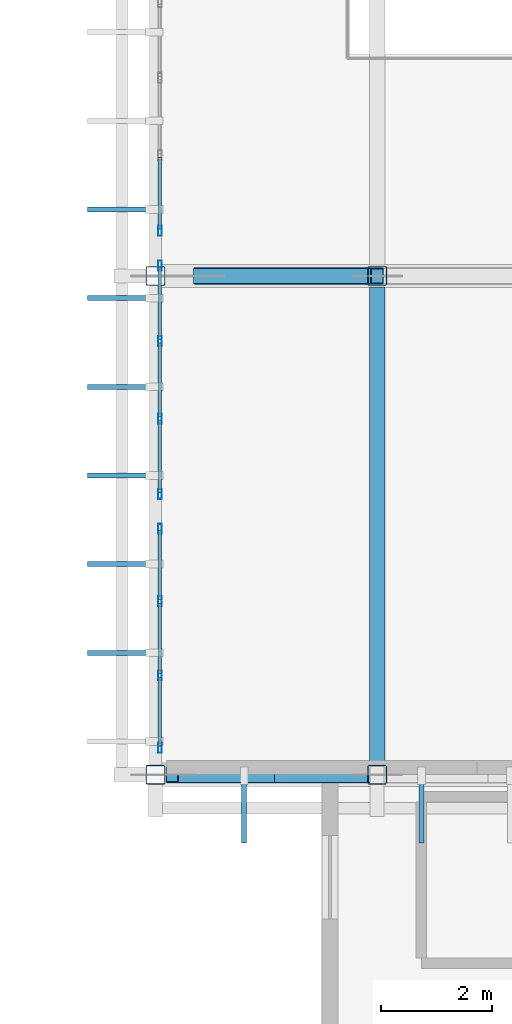
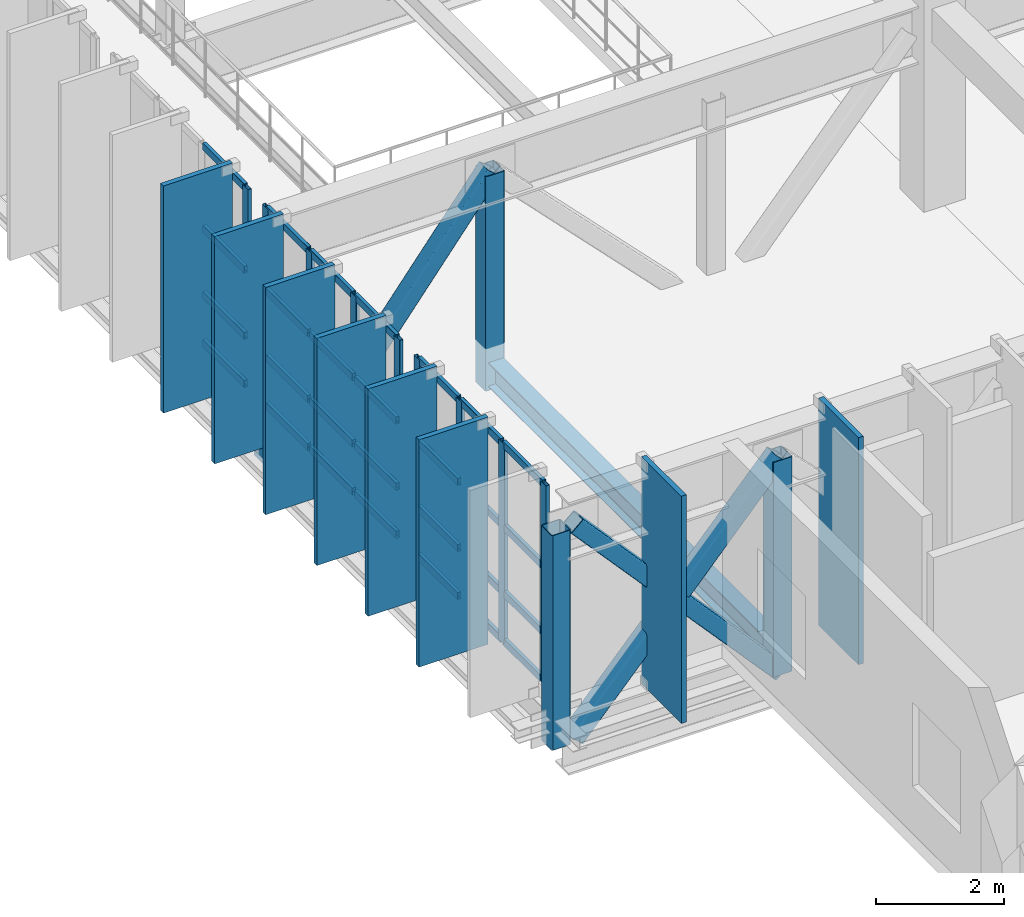
# One storey, part 33 of 130: 52 members, 1 beam, 3 elements without a shape of their own.
"""IFC4 building model written with IfcOpenShell, lengths in metres."""

from ifc_helpers import new_model, si_unit, direction, frame, origin, origin_2d, place, context, subcontext, project, spatial, rectangle, hollow_rectangle, i_section, extrude, material, material_profile, profile_set, type_object, element, aggregate, save


model = new_model("IFC4")

# Units and contexts
model_context = context("Model", 3, precision=1e-05, world=origin(), true_north=direction((0.0, 1.0)))
body_context = subcontext(model_context, "Body", "Model", "MODEL_VIEW")
ifc_project = project(units=[si_unit("LENGTHUNIT", "METRE"), si_unit("AREAUNIT", "SQUARE_METRE"), si_unit("VOLUMEUNIT", "CUBIC_METRE"), si_unit("PLANEANGLEUNIT", "RADIAN"), si_unit("MASSUNIT", "GRAM", prefix="KILO")], contexts=[model_context])

# Site, building, storey
site_placement = place(None, origin())
site = spatial("IfcSite", under=ifc_project, at=site_placement, CompositionType="ELEMENT")
building_placement = place(site_placement, origin())
building = spatial("IfcBuilding", under=site, at=building_placement, Name="Miravela Opera House", CompositionType="ELEMENT")
storey_placement = place(building_placement, frame((0.0, 0.0, 9.52001953125)))
storey = spatial("IfcBuildingStorey", under=building, at=storey_placement, Name="L02", CompositionType="ELEMENT", Elevation=9.52001953125)

# Curtain wall, members
ifc_material_1 = material(Name="Anodised architectural bronze aluminium 6063-T6", Category="aluminium")
curtain_wall_type = type_object("IfcCurtainWallType", Name="ARC-CW-02", PredefinedType="NOTDEFINED", material=ifc_material_1)
curtain_wall_1_placement = place(storey_placement, origin())
curtain_wall_1 = element("IfcCurtainWall", 1, at=curtain_wall_1_placement, inside=storey, type_object=curtain_wall_type, Name="Cantilever West Wrapper Glazing B1 CW-L02-007", PredefinedType="NOTDEFINED")
ifc_material_profile_1 = material_profile(ifc_material_1, hollow_rectangle(XDim=0.06494140625, YDim=0.179931640625, WallThickness=0.00390625, InnerFilletRadius=0.001953125, OuterFilletRadius=0.00390625, at=origin_2d()), Name="CWM-65X180")
ifc_profile_set_1 = profile_set([ifc_material_profile_1])
member_type_1 = type_object("IfcMemberType", Name="ARC-CWM-180", PredefinedType="MULLION", material=ifc_profile_set_1)
member_1_placement = place(storey_placement, frame((15.080078125, 37.482421875, 0.0), z_axis=(0.0, 0.0, 1.0), x_axis=(-1.0, 0.0, 0.0)))
member_1 = element("IfcMember", 2, at=member_1_placement, type_object=member_type_1, Name="CW-02 mullion 1", PredefinedType="MULLION", context=body_context, shape_type="SweptSolid", body=[
    extrude(hollow_rectangle(XDim=0.06494140625, YDim=0.179931640625, WallThickness=0.00390625, InnerFilletRadius=0.001953125, OuterFilletRadius=0.00390625, at=origin_2d()), origin(), (0.0, 0.0, 1.0), 3.820068359375),
])
member_2_placement = place(storey_placement, frame((15.080078125, 38.7900390625, 0.0), z_axis=(0.0, 0.0, 1.0), x_axis=(-1.0, 0.0, 0.0)))
member_2 = element("IfcMember", 3, at=member_2_placement, type_object=member_type_1, Name="CW-02 mullion 2", PredefinedType="MULLION", context=body_context, shape_type="SweptSolid", body=[
    extrude(hollow_rectangle(XDim=0.06494140625, YDim=0.179931640625, WallThickness=0.00390625, InnerFilletRadius=0.001953125, OuterFilletRadius=0.00390625, at=origin_2d()), origin(), (0.0, 0.0, 1.0), 3.820068359375),
])
member_3_placement = place(storey_placement, frame((15.080078125, 40.1298828125, 0.0), z_axis=(0.0, 0.0, 1.0), x_axis=(-1.0, 0.0, 0.0)))
member_3 = element("IfcMember", 4, at=member_3_placement, type_object=member_type_1, Name="CW-02 mullion 3", PredefinedType="MULLION", context=body_context, shape_type="SweptSolid", body=[
    extrude(hollow_rectangle(XDim=0.06494140625, YDim=0.179931640625, WallThickness=0.00390625, InnerFilletRadius=0.001953125, OuterFilletRadius=0.00390625, at=origin_2d()), origin(), (0.0, 0.0, 1.0), 3.820068359375),
])
member_4_placement = place(storey_placement, frame((15.080078125, 41.4375, 0.0), z_axis=(0.0, 0.0, 1.0), x_axis=(-1.0, 0.0, 0.0)))
member_4 = element("IfcMember", 5, at=member_4_placement, type_object=member_type_1, Name="CW-02 mullion 4", PredefinedType="MULLION", context=body_context, shape_type="SweptSolid", body=[
    extrude(hollow_rectangle(XDim=0.06494140625, YDim=0.179931640625, WallThickness=0.00390625, InnerFilletRadius=0.001953125, OuterFilletRadius=0.00390625, at=origin_2d()), origin(), (0.0, 0.0, 1.0), 3.820068359375),
])

curtain_wall_2_placement = place(storey_placement, origin())
curtain_wall_2 = element("IfcCurtainWall", 6, at=curtain_wall_2_placement, inside=storey, type_object=curtain_wall_type, Name="Cantilever West Wrapper Glazing B2 CW-L02-008", PredefinedType="NOTDEFINED")
member_5_placement = place(storey_placement, frame((15.080078125, 42.0625, 0.0), z_axis=(0.0, 0.0, 1.0), x_axis=(-1.0, 0.0, 0.0)))
member_5 = element("IfcMember", 7, at=member_5_placement, type_object=member_type_1, Name="CW-02 mullion 1", PredefinedType="MULLION", context=body_context, shape_type="SweptSolid", body=[
    extrude(hollow_rectangle(XDim=0.06494140625, YDim=0.179931640625, WallThickness=0.00390625, InnerFilletRadius=0.001953125, OuterFilletRadius=0.00390625, at=origin_2d()), origin(), (0.0, 0.0, 1.0), 3.820068359375),
])
member_6_placement = place(storey_placement, frame((15.080078125, 43.4267578125, 0.0), z_axis=(0.0, 0.0, 1.0), x_axis=(-1.0, 0.0, 0.0)))
member_6 = element("IfcMember", 8, at=member_6_placement, type_object=member_type_1, Name="CW-02 mullion 2", PredefinedType="MULLION", context=body_context, shape_type="SweptSolid", body=[
    extrude(hollow_rectangle(XDim=0.06494140625, YDim=0.179931640625, WallThickness=0.00390625, InnerFilletRadius=0.001953125, OuterFilletRadius=0.00390625, at=origin_2d()), origin(), (0.0, 0.0, 1.0), 3.820068359375),
])
member_7_placement = place(storey_placement, frame((15.080078125, 44.8232421875, 0.0), z_axis=(0.0, 0.0, 1.0), x_axis=(-1.0, 0.0, 0.0)))
member_7 = element("IfcMember", 9, at=member_7_placement, type_object=member_type_1, Name="CW-02 mullion 3", PredefinedType="MULLION", context=body_context, shape_type="SweptSolid", body=[
    extrude(hollow_rectangle(XDim=0.06494140625, YDim=0.179931640625, WallThickness=0.00390625, InnerFilletRadius=0.001953125, OuterFilletRadius=0.00390625, at=origin_2d()), origin(), (0.0, 0.0, 1.0), 3.820068359375),
])
member_8_placement = place(storey_placement, frame((15.080078125, 46.1875, 0.0), z_axis=(0.0, 0.0, 1.0), x_axis=(-1.0, 0.0, 0.0)))
member_8 = element("IfcMember", 10, at=member_8_placement, type_object=member_type_1, Name="CW-02 mullion 4", PredefinedType="MULLION", context=body_context, shape_type="SweptSolid", body=[
    extrude(hollow_rectangle(XDim=0.06494140625, YDim=0.179931640625, WallThickness=0.00390625, InnerFilletRadius=0.001953125, OuterFilletRadius=0.00390625, at=origin_2d()), origin(), (0.0, 0.0, 1.0), 3.820068359375),
])

# Curtain wall, member
curtain_wall_3_placement = place(storey_placement, origin())
curtain_wall_3 = element("IfcCurtainWall", 11, at=curtain_wall_3_placement, inside=storey, type_object=curtain_wall_type, Name="Cantilever West Wrapper Glazing B3 CW-L02-009", PredefinedType="NOTDEFINED")
member_9_placement = place(storey_placement, frame((15.080078125, 46.8125, 0.0), z_axis=(0.0, 0.0, 1.0), x_axis=(-1.0, 0.0, 0.0)))
member_9 = element("IfcMember", 12, at=member_9_placement, type_object=member_type_1, Name="CW-02 mullion 1", PredefinedType="MULLION", context=body_context, shape_type="SweptSolid", body=[
    extrude(hollow_rectangle(XDim=0.06494140625, YDim=0.179931640625, WallThickness=0.00390625, InnerFilletRadius=0.001953125, OuterFilletRadius=0.00390625, at=origin_2d()), origin(), (0.0, 0.0, 1.0), 3.820068359375),
])

# Member
ifc_material_profile_2 = material_profile(ifc_material_1, hollow_rectangle(XDim=0.06494140625, YDim=0.139892578125, WallThickness=0.00390625, InnerFilletRadius=0.001953125, OuterFilletRadius=0.00390625, at=origin_2d()), Name="CWT-65X140")
ifc_profile_set_2 = profile_set([ifc_material_profile_2])
member_type_2 = type_object("IfcMemberType", Name="ARC-CWT-140", PredefinedType="USERDEFINED", material=ifc_profile_set_2)
member_10_placement = place(storey_placement, frame((15.080078125, 37.514892578125, 0.032470703125), z_axis=(0.0, 1.0, 0.0), x_axis=(-1.0, 0.0, 0.0)))
member_10 = element("IfcMember", 13, at=member_10_placement, type_object=member_type_2, Name="CW-02 transom 1.1", ObjectType="TRANSOM", PredefinedType="USERDEFINED", context=body_context, shape_type="SweptSolid", body=[
    extrude(hollow_rectangle(XDim=0.06494140625, YDim=0.139892578125, WallThickness=0.00390625, InnerFilletRadius=0.001953125, OuterFilletRadius=0.00390625, at=origin_2d()), origin(), (0.0, 0.0, 1.0), 1.24267578125),
])

member_11_placement = place(storey_placement, frame((15.080078125, 37.514892578125, 0.949951171875), z_axis=(0.0, 1.0, 0.0), x_axis=(-1.0, 0.0, 0.0)))
member_11 = element("IfcMember", 14, at=member_11_placement, type_object=member_type_2, Name="CW-02 transom 1.2", ObjectType="TRANSOM", PredefinedType="USERDEFINED", context=body_context, shape_type="SweptSolid", body=[
    extrude(hollow_rectangle(XDim=0.06494140625, YDim=0.139892578125, WallThickness=0.00390625, InnerFilletRadius=0.001953125, OuterFilletRadius=0.00390625, at=origin_2d()), origin(), (0.0, 0.0, 1.0), 1.24267578125),
])

member_12_placement = place(storey_placement, frame((15.080078125, 37.514892578125, 2.215576171875), z_axis=(0.0, 1.0, 0.0), x_axis=(-1.0, 0.0, 0.0)))
member_12 = element("IfcMember", 15, at=member_12_placement, type_object=member_type_2, Name="CW-02 transom 1.3", ObjectType="TRANSOM", PredefinedType="USERDEFINED", context=body_context, shape_type="SweptSolid", body=[
    extrude(hollow_rectangle(XDim=0.06494140625, YDim=0.139892578125, WallThickness=0.00390625, InnerFilletRadius=0.001953125, OuterFilletRadius=0.00390625, at=origin_2d()), origin(), (0.0, 0.0, 1.0), 1.24267578125),
])

member_13_placement = place(storey_placement, frame((15.080078125, 37.514892578125, 3.78759765625), z_axis=(0.0, 1.0, 0.0), x_axis=(-1.0, 0.0, 0.0)))
member_13 = element("IfcMember", 16, at=member_13_placement, type_object=member_type_2, Name="CW-02 transom 1.4", ObjectType="TRANSOM", PredefinedType="USERDEFINED", context=body_context, shape_type="SweptSolid", body=[
    extrude(hollow_rectangle(XDim=0.06494140625, YDim=0.139892578125, WallThickness=0.00390625, InnerFilletRadius=0.001953125, OuterFilletRadius=0.00390625, at=origin_2d()), origin(), (0.0, 0.0, 1.0), 1.24267578125),
])

member_14_placement = place(storey_placement, frame((15.080078125, 38.822509765625, 0.032470703125), z_axis=(0.0, 1.0, 0.0), x_axis=(-1.0, 0.0, 0.0)))
member_14 = element("IfcMember", 17, at=member_14_placement, type_object=member_type_2, Name="CW-02 transom 2.1", ObjectType="TRANSOM", PredefinedType="USERDEFINED", context=body_context, shape_type="SweptSolid", body=[
    extrude(hollow_rectangle(XDim=0.06494140625, YDim=0.139892578125, WallThickness=0.00390625, InnerFilletRadius=0.001953125, OuterFilletRadius=0.00390625, at=origin_2d()), origin(), (0.0, 0.0, 1.0), 1.27490234375),
])

member_15_placement = place(storey_placement, frame((15.080078125, 38.822509765625, 0.949951171875), z_axis=(0.0, 1.0, 0.0), x_axis=(-1.0, 0.0, 0.0)))
member_15 = element("IfcMember", 18, at=member_15_placement, type_object=member_type_2, Name="CW-02 transom 2.2", ObjectType="TRANSOM", PredefinedType="USERDEFINED", context=body_context, shape_type="SweptSolid", body=[
    extrude(hollow_rectangle(XDim=0.06494140625, YDim=0.139892578125, WallThickness=0.00390625, InnerFilletRadius=0.001953125, OuterFilletRadius=0.00390625, at=origin_2d()), origin(), (0.0, 0.0, 1.0), 1.27490234375),
])

member_16_placement = place(storey_placement, frame((15.080078125, 38.822509765625, 2.215576171875), z_axis=(0.0, 1.0, 0.0), x_axis=(-1.0, 0.0, 0.0)))
member_16 = element("IfcMember", 19, at=member_16_placement, type_object=member_type_2, Name="CW-02 transom 2.3", ObjectType="TRANSOM", PredefinedType="USERDEFINED", context=body_context, shape_type="SweptSolid", body=[
    extrude(hollow_rectangle(XDim=0.06494140625, YDim=0.139892578125, WallThickness=0.00390625, InnerFilletRadius=0.001953125, OuterFilletRadius=0.00390625, at=origin_2d()), origin(), (0.0, 0.0, 1.0), 1.27490234375),
])

member_17_placement = place(storey_placement, frame((15.080078125, 38.822509765625, 3.78759765625), z_axis=(0.0, 1.0, 0.0), x_axis=(-1.0, 0.0, 0.0)))
member_17 = element("IfcMember", 20, at=member_17_placement, type_object=member_type_2, Name="CW-02 transom 2.4", ObjectType="TRANSOM", PredefinedType="USERDEFINED", context=body_context, shape_type="SweptSolid", body=[
    extrude(hollow_rectangle(XDim=0.06494140625, YDim=0.139892578125, WallThickness=0.00390625, InnerFilletRadius=0.001953125, OuterFilletRadius=0.00390625, at=origin_2d()), origin(), (0.0, 0.0, 1.0), 1.27490234375),
])

member_18_placement = place(storey_placement, frame((15.080078125, 40.16259765625, 0.032470703125), z_axis=(0.0, 1.0, 0.0), x_axis=(-1.0, 0.0, 0.0)))
member_18 = element("IfcMember", 21, at=member_18_placement, type_object=member_type_2, Name="CW-02 transom 3.1", ObjectType="TRANSOM", PredefinedType="USERDEFINED", context=body_context, shape_type="SweptSolid", body=[
    extrude(hollow_rectangle(XDim=0.06494140625, YDim=0.139892578125, WallThickness=0.00390625, InnerFilletRadius=0.001953125, OuterFilletRadius=0.00390625, at=origin_2d()), origin(), (0.0, 0.0, 1.0), 1.242431640625),
])

member_19_placement = place(storey_placement, frame((15.080078125, 40.16259765625, 0.949951171875), z_axis=(0.0, 1.0, 0.0), x_axis=(-1.0, 0.0, 0.0)))
member_19 = element("IfcMember", 22, at=member_19_placement, type_object=member_type_2, Name="CW-02 transom 3.2", ObjectType="TRANSOM", PredefinedType="USERDEFINED", context=body_context, shape_type="SweptSolid", body=[
    extrude(hollow_rectangle(XDim=0.06494140625, YDim=0.139892578125, WallThickness=0.00390625, InnerFilletRadius=0.001953125, OuterFilletRadius=0.00390625, at=origin_2d()), origin(), (0.0, 0.0, 1.0), 1.242431640625),
])

member_20_placement = place(storey_placement, frame((15.080078125, 40.16259765625, 2.215576171875), z_axis=(0.0, 1.0, 0.0), x_axis=(-1.0, 0.0, 0.0)))
member_20 = element("IfcMember", 23, at=member_20_placement, type_object=member_type_2, Name="CW-02 transom 3.3", ObjectType="TRANSOM", PredefinedType="USERDEFINED", context=body_context, shape_type="SweptSolid", body=[
    extrude(hollow_rectangle(XDim=0.06494140625, YDim=0.139892578125, WallThickness=0.00390625, InnerFilletRadius=0.001953125, OuterFilletRadius=0.00390625, at=origin_2d()), origin(), (0.0, 0.0, 1.0), 1.242431640625),
])

member_21_placement = place(storey_placement, frame((15.080078125, 40.16259765625, 3.78759765625), z_axis=(0.0, 1.0, 0.0), x_axis=(-1.0, 0.0, 0.0)))
member_21 = element("IfcMember", 24, at=member_21_placement, type_object=member_type_2, Name="CW-02 transom 3.4", ObjectType="TRANSOM", PredefinedType="USERDEFINED", context=body_context, shape_type="SweptSolid", body=[
    extrude(hollow_rectangle(XDim=0.06494140625, YDim=0.139892578125, WallThickness=0.00390625, InnerFilletRadius=0.001953125, OuterFilletRadius=0.00390625, at=origin_2d()), origin(), (0.0, 0.0, 1.0), 1.242431640625),
])

aggregate(curtain_wall_1, [member_1, member_2, member_3, member_4, member_10, member_11, member_12, member_13, member_14, member_15, member_16, member_17, member_18, member_19, member_20, member_21])

member_22_placement = place(storey_placement, frame((15.080078125, 42.094970703125, 0.032470703125), z_axis=(0.0, 1.0, 0.0), x_axis=(-1.0, 0.0, 0.0)))
member_22 = element("IfcMember", 25, at=member_22_placement, type_object=member_type_2, Name="CW-02 transom 1.1", ObjectType="TRANSOM", PredefinedType="USERDEFINED", context=body_context, shape_type="SweptSolid", body=[
    extrude(hollow_rectangle(XDim=0.06494140625, YDim=0.139892578125, WallThickness=0.00390625, InnerFilletRadius=0.001953125, OuterFilletRadius=0.00390625, at=origin_2d()), origin(), (0.0, 0.0, 1.0), 1.29931640625),
])

member_23_placement = place(storey_placement, frame((15.080078125, 42.094970703125, 0.949951171875), z_axis=(0.0, 1.0, 0.0), x_axis=(-1.0, 0.0, 0.0)))
member_23 = element("IfcMember", 26, at=member_23_placement, type_object=member_type_2, Name="CW-02 transom 1.2", ObjectType="TRANSOM", PredefinedType="USERDEFINED", context=body_context, shape_type="SweptSolid", body=[
    extrude(hollow_rectangle(XDim=0.06494140625, YDim=0.139892578125, WallThickness=0.00390625, InnerFilletRadius=0.001953125, OuterFilletRadius=0.00390625, at=origin_2d()), origin(), (0.0, 0.0, 1.0), 1.29931640625),
])

member_24_placement = place(storey_placement, frame((15.080078125, 42.094970703125, 2.215576171875), z_axis=(0.0, 1.0, 0.0), x_axis=(-1.0, 0.0, 0.0)))
member_24 = element("IfcMember", 27, at=member_24_placement, type_object=member_type_2, Name="CW-02 transom 1.3", ObjectType="TRANSOM", PredefinedType="USERDEFINED", context=body_context, shape_type="SweptSolid", body=[
    extrude(hollow_rectangle(XDim=0.06494140625, YDim=0.139892578125, WallThickness=0.00390625, InnerFilletRadius=0.001953125, OuterFilletRadius=0.00390625, at=origin_2d()), origin(), (0.0, 0.0, 1.0), 1.29931640625),
])

member_25_placement = place(storey_placement, frame((15.080078125, 42.094970703125, 3.78759765625), z_axis=(0.0, 1.0, 0.0), x_axis=(-1.0, 0.0, 0.0)))
member_25 = element("IfcMember", 28, at=member_25_placement, type_object=member_type_2, Name="CW-02 transom 1.4", ObjectType="TRANSOM", PredefinedType="USERDEFINED", context=body_context, shape_type="SweptSolid", body=[
    extrude(hollow_rectangle(XDim=0.06494140625, YDim=0.139892578125, WallThickness=0.00390625, InnerFilletRadius=0.001953125, OuterFilletRadius=0.00390625, at=origin_2d()), origin(), (0.0, 0.0, 1.0), 1.29931640625),
])

member_26_placement = place(storey_placement, frame((15.080078125, 43.459228515625, 0.032470703125), z_axis=(0.0, 1.0, 0.0), x_axis=(-1.0, 0.0, 0.0)))
member_26 = element("IfcMember", 29, at=member_26_placement, type_object=member_type_2, Name="CW-02 transom 2.1", ObjectType="TRANSOM", PredefinedType="USERDEFINED", context=body_context, shape_type="SweptSolid", body=[
    extrude(hollow_rectangle(XDim=0.06494140625, YDim=0.139892578125, WallThickness=0.00390625, InnerFilletRadius=0.001953125, OuterFilletRadius=0.00390625, at=origin_2d()), origin(), (0.0, 0.0, 1.0), 1.33154296875),
])

member_27_placement = place(storey_placement, frame((15.080078125, 43.459228515625, 0.949951171875), z_axis=(0.0, 1.0, 0.0), x_axis=(-1.0, 0.0, 0.0)))
member_27 = element("IfcMember", 30, at=member_27_placement, type_object=member_type_2, Name="CW-02 transom 2.2", ObjectType="TRANSOM", PredefinedType="USERDEFINED", context=body_context, shape_type="SweptSolid", body=[
    extrude(hollow_rectangle(XDim=0.06494140625, YDim=0.139892578125, WallThickness=0.00390625, InnerFilletRadius=0.001953125, OuterFilletRadius=0.00390625, at=origin_2d()), origin(), (0.0, 0.0, 1.0), 1.33154296875),
])

member_28_placement = place(storey_placement, frame((15.080078125, 43.459228515625, 2.215576171875), z_axis=(0.0, 1.0, 0.0), x_axis=(-1.0, 0.0, 0.0)))
member_28 = element("IfcMember", 31, at=member_28_placement, type_object=member_type_2, Name="CW-02 transom 2.3", ObjectType="TRANSOM", PredefinedType="USERDEFINED", context=body_context, shape_type="SweptSolid", body=[
    extrude(hollow_rectangle(XDim=0.06494140625, YDim=0.139892578125, WallThickness=0.00390625, InnerFilletRadius=0.001953125, OuterFilletRadius=0.00390625, at=origin_2d()), origin(), (0.0, 0.0, 1.0), 1.33154296875),
])

member_29_placement = place(storey_placement, frame((15.080078125, 43.459228515625, 3.78759765625), z_axis=(0.0, 1.0, 0.0), x_axis=(-1.0, 0.0, 0.0)))
member_29 = element("IfcMember", 32, at=member_29_placement, type_object=member_type_2, Name="CW-02 transom 2.4", ObjectType="TRANSOM", PredefinedType="USERDEFINED", context=body_context, shape_type="SweptSolid", body=[
    extrude(hollow_rectangle(XDim=0.06494140625, YDim=0.139892578125, WallThickness=0.00390625, InnerFilletRadius=0.001953125, OuterFilletRadius=0.00390625, at=origin_2d()), origin(), (0.0, 0.0, 1.0), 1.33154296875),
])

member_30_placement = place(storey_placement, frame((15.080078125, 44.855712890625, 0.032470703125), z_axis=(0.0, 1.0, 0.0), x_axis=(-1.0, 0.0, 0.0)))
member_30 = element("IfcMember", 33, at=member_30_placement, type_object=member_type_2, Name="CW-02 transom 3.1", ObjectType="TRANSOM", PredefinedType="USERDEFINED", context=body_context, shape_type="SweptSolid", body=[
    extrude(hollow_rectangle(XDim=0.06494140625, YDim=0.139892578125, WallThickness=0.00390625, InnerFilletRadius=0.001953125, OuterFilletRadius=0.00390625, at=origin_2d()), origin(), (0.0, 0.0, 1.0), 1.29931640625),
])

member_31_placement = place(storey_placement, frame((15.080078125, 44.855712890625, 0.949951171875), z_axis=(0.0, 1.0, 0.0), x_axis=(-1.0, 0.0, 0.0)))
member_31 = element("IfcMember", 34, at=member_31_placement, type_object=member_type_2, Name="CW-02 transom 3.2", ObjectType="TRANSOM", PredefinedType="USERDEFINED", context=body_context, shape_type="SweptSolid", body=[
    extrude(hollow_rectangle(XDim=0.06494140625, YDim=0.139892578125, WallThickness=0.00390625, InnerFilletRadius=0.001953125, OuterFilletRadius=0.00390625, at=origin_2d()), origin(), (0.0, 0.0, 1.0), 1.29931640625),
])

member_32_placement = place(storey_placement, frame((15.080078125, 44.855712890625, 2.215576171875), z_axis=(0.0, 1.0, 0.0), x_axis=(-1.0, 0.0, 0.0)))
member_32 = element("IfcMember", 35, at=member_32_placement, type_object=member_type_2, Name="CW-02 transom 3.3", ObjectType="TRANSOM", PredefinedType="USERDEFINED", context=body_context, shape_type="SweptSolid", body=[
    extrude(hollow_rectangle(XDim=0.06494140625, YDim=0.139892578125, WallThickness=0.00390625, InnerFilletRadius=0.001953125, OuterFilletRadius=0.00390625, at=origin_2d()), origin(), (0.0, 0.0, 1.0), 1.29931640625),
])

member_33_placement = place(storey_placement, frame((15.080078125, 44.855712890625, 3.78759765625), z_axis=(0.0, 1.0, 0.0), x_axis=(-1.0, 0.0, 0.0)))
member_33 = element("IfcMember", 36, at=member_33_placement, type_object=member_type_2, Name="CW-02 transom 3.4", ObjectType="TRANSOM", PredefinedType="USERDEFINED", context=body_context, shape_type="SweptSolid", body=[
    extrude(hollow_rectangle(XDim=0.06494140625, YDim=0.139892578125, WallThickness=0.00390625, InnerFilletRadius=0.001953125, OuterFilletRadius=0.00390625, at=origin_2d()), origin(), (0.0, 0.0, 1.0), 1.29931640625),
])

aggregate(curtain_wall_2, [member_5, member_6, member_7, member_8, member_22, member_23, member_24, member_25, member_26, member_27, member_28, member_29, member_30, member_31, member_32, member_33])

member_34_placement = place(storey_placement, frame((15.080078125, 46.844970703125, 0.032470703125), z_axis=(0.0, 1.0, 0.0), x_axis=(-1.0, 0.0, 0.0)))
member_34 = element("IfcMember", 37, at=member_34_placement, type_object=member_type_2, Name="CW-02 transom 1.1", ObjectType="TRANSOM", PredefinedType="USERDEFINED", context=body_context, shape_type="SweptSolid", body=[
    extrude(hollow_rectangle(XDim=0.06494140625, YDim=0.139892578125, WallThickness=0.00390625, InnerFilletRadius=0.001953125, OuterFilletRadius=0.00390625, at=origin_2d()), origin(), (0.0, 0.0, 1.0), 1.29931640625),
])

member_35_placement = place(storey_placement, frame((15.080078125, 46.844970703125, 0.949951171875), z_axis=(0.0, 1.0, 0.0), x_axis=(-1.0, 0.0, 0.0)))
member_35 = element("IfcMember", 38, at=member_35_placement, type_object=member_type_2, Name="CW-02 transom 1.2", ObjectType="TRANSOM", PredefinedType="USERDEFINED", context=body_context, shape_type="SweptSolid", body=[
    extrude(hollow_rectangle(XDim=0.06494140625, YDim=0.139892578125, WallThickness=0.00390625, InnerFilletRadius=0.001953125, OuterFilletRadius=0.00390625, at=origin_2d()), origin(), (0.0, 0.0, 1.0), 1.29931640625),
])

member_36_placement = place(storey_placement, frame((15.080078125, 46.844970703125, 2.215576171875), z_axis=(0.0, 1.0, 0.0), x_axis=(-1.0, 0.0, 0.0)))
member_36 = element("IfcMember", 39, at=member_36_placement, type_object=member_type_2, Name="CW-02 transom 1.3", ObjectType="TRANSOM", PredefinedType="USERDEFINED", context=body_context, shape_type="SweptSolid", body=[
    extrude(hollow_rectangle(XDim=0.06494140625, YDim=0.139892578125, WallThickness=0.00390625, InnerFilletRadius=0.001953125, OuterFilletRadius=0.00390625, at=origin_2d()), origin(), (0.0, 0.0, 1.0), 1.29931640625),
])

member_37_placement = place(storey_placement, frame((15.080078125, 46.844970703125, 3.78759765625), z_axis=(0.0, 1.0, 0.0), x_axis=(-1.0, 0.0, 0.0)))
member_37 = element("IfcMember", 40, at=member_37_placement, type_object=member_type_2, Name="CW-02 transom 1.4", ObjectType="TRANSOM", PredefinedType="USERDEFINED", context=body_context, shape_type="SweptSolid", body=[
    extrude(hollow_rectangle(XDim=0.06494140625, YDim=0.139892578125, WallThickness=0.00390625, InnerFilletRadius=0.001953125, OuterFilletRadius=0.00390625, at=origin_2d()), origin(), (0.0, 0.0, 1.0), 1.29931640625),
])

aggregate(curtain_wall_3, [member_9, member_34, member_35, member_36, member_37])

# Members
ifc_material_profile_3 = material_profile(ifc_material_1, rectangle(XDim=0.090087890625, YDim=1.25, at=origin_2d()), Name="FIN-1250X90")
ifc_profile_set_3 = profile_set([ifc_material_profile_3])
member_type_3 = type_object("IfcMemberType", Name="ARC-FIN-1250", PredefinedType="USERDEFINED", material=ifc_profile_set_3)
for number, where, z_axis, x_axis, name in (
    (41, (14.39501953125, 39.199951171875, -0.260009765625), (0.0, 0.0, 1.0), (0.0, 1.0, 0.0), "Auditorium Wrapper Bronze Solar Fin FIN-L02-WEST-0002"),
    (42, (14.39501953125, 40.800048828125, -0.260009765625), (0.0, 0.0, 1.0), (0.0, 1.0, 0.0), "Auditorium Wrapper Bronze Solar Fin FIN-L02-WEST-0003"),
    (43, (14.39501953125, 42.39990234375, -0.260009765625), (0.0, 0.0, 1.0), (0.0, 1.0, 0.0), "Auditorium Wrapper Bronze Solar Fin FIN-L02-WEST-0004"),
    (44, (14.39501953125, 44.0, -0.260009765625), (0.0, 0.0, 1.0), (0.0, 1.0, 0.0), "Auditorium Wrapper Bronze Solar Fin FIN-L02-WEST-0005"),
    (45, (14.39501953125, 45.60009765625, -0.260009765625), (0.0, 0.0, 1.0), (0.0, 1.0, 0.0), "Auditorium Wrapper Bronze Solar Fin FIN-L02-WEST-0006"),
    (46, (14.39501953125, 47.199951171875, -0.260009765625), (0.0, 0.0, 1.0), (0.0, 1.0, 0.0), "Auditorium Wrapper Bronze Solar Fin FIN-L02-WEST-0007"),
    (47, (16.60009765625, 36.39501953125, -0.260009765625), (0.0, 0.0, 1.0), (1.0, 0.0, 0.0), "Auditorium Wrapper Bronze Solar Fin FIN-L02-SOUTH-0026"),
    (48, (19.800048828125, 36.39501953125, -0.260009765625), (0.0, 0.0, 1.0), (1.0, 0.0, 0.0), "Auditorium Wrapper Bronze Solar Fin FIN-L02-SOUTH-0028"),
):
    element("IfcMember", number, at=place(storey_placement, frame(where, z_axis=z_axis, x_axis=x_axis)), inside=storey, type_object=member_type_3, Name=name, ObjectType="FIN", PredefinedType="USERDEFINED", context=body_context, shape_type="SweptSolid", body=[
        extrude(rectangle(XDim=0.090087890625, YDim=1.25, at=origin_2d()), origin(), (0.0, 0.0, 1.0), 4.340087890625),
    ])

# Beam
ifc_material_2 = material(Name="Structural steel ASTM A992 Gr. 50", Category="steel")
ifc_material_profile_4 = material_profile(ifc_material_2, i_section(OverallWidth=0.280029296875, OverallDepth=0.462890625, WebThickness=0.0107421875, FlangeThickness=0.017333984375, FilletRadius=0.014892578125, at=origin_2d()), Name="W460X113")
ifc_profile_set_4 = profile_set([ifc_material_profile_4])
beam_type = type_object("IfcBeamType", Name="STR-BM-W460X113", PredefinedType="BEAM", material=ifc_profile_set_4)
beam_placement = place(storey_placement, frame((19.0, 37.195068359375, -0.491455078125), z_axis=(0.0, 1.0, 0.0), x_axis=(-1.0, 0.0, 0.0)))
element("IfcBeam", 49, at=beam_placement, inside=storey, type_object=beam_type, Name="Cantilever Overhang Beam L02 X=19", PredefinedType="BEAM", context=body_context, shape_type="SweptSolid", body=[
    extrude(i_section(OverallWidth=0.280029296875, OverallDepth=0.462890625, WebThickness=0.0107421875, FlangeThickness=0.017333984375, FilletRadius=0.014892578125, at=origin_2d()), origin(), (0.0, 0.0, 1.0), 8.60986328125),
])

# Members
ifc_material_3 = material(Name="Hollow structural steel ASTM A500 Gr. C", Category="steel")
ifc_material_profile_5 = material_profile(ifc_material_3, hollow_rectangle(XDim=0.300048828125, YDim=0.300048828125, WallThickness=0.01611328125, InnerFilletRadius=0.01611328125, OuterFilletRadius=0.031982421875, at=origin_2d()), Name="HSS300X300X16")
ifc_profile_set_5 = profile_set([ifc_material_profile_5])
member_type_4 = type_object("IfcMemberType", Name="STR-MEM-CANT-DIAG", PredefinedType="BRACE", material=ifc_profile_set_5)
for number, where, z_axis, x_axis, name in (
    (50, (15.300048828125, 37.0, -0.81298828125), (0.669972840481, 0.0, 0.742385609383), (0.0, 1.0, 0.0), "Cantilever Truss CT-01 Perimeter Web Diagonal 1A"),
    (51, (15.300048828125, 37.0, 3.286865234375), (0.669972840481, 0.0, -0.742385609383), (0.0, 1.0, 0.0), "Cantilever Truss CT-01 Perimeter Web Diagonal 1B"),
):
    element("IfcMember", number, at=place(storey_placement, frame(where, z_axis=z_axis, x_axis=x_axis)), inside=storey, type_object=member_type_4, Name=name, PredefinedType="BRACE", context=body_context, shape_type="SweptSolid", body=[
        extrude(hollow_rectangle(XDim=0.300048828125, YDim=0.300048828125, WallThickness=0.01611328125, InnerFilletRadius=0.01611328125, OuterFilletRadius=0.031982421875, at=origin_2d()), origin(), (0.0, 0.0, 1.0), 5.5224609375),
    ])
member_38_placement = place(storey_placement, frame((15.800048828125, 46.0, -0.81298828125), z_axis=(0.615278682057, 0.0, 0.788309674814), x_axis=(0.0, 1.0, 0.0)))
element("IfcMember", 52, at=member_38_placement, inside=storey, type_object=member_type_4, Name="Cantilever Truss CT-02 Overhang Web Diagonal 1", PredefinedType="BRACE", context=body_context, shape_type="SweptSolid", body=[
    extrude(hollow_rectangle(XDim=0.300048828125, YDim=0.300048828125, WallThickness=0.01611328125, InnerFilletRadius=0.01611328125, OuterFilletRadius=0.031982421875, at=origin_2d()), origin(), (0.0, 0.0, 1.0), 5.200927734375),
])
ifc_material_profile_6 = material_profile(ifc_material_3, hollow_rectangle(XDim=0.35009765625, YDim=0.35009765625, WallThickness=0.01611328125, InnerFilletRadius=0.01611328125, OuterFilletRadius=0.031982421875, at=origin_2d()), Name="HSS350X350X16")
ifc_profile_set_6 = profile_set([ifc_material_profile_6])
member_type_5 = type_object("IfcMemberType", Name="STR-MEM-CANT-POST", PredefinedType="POST", material=ifc_profile_set_6)
for number, where, z_axis, x_axis, name in (
    (53, (15.0, 37.0, -0.81298828125), (0.0, 0.0, 1.0), (1.0, 0.0, 0.0), "Cantilever Truss CT-01 Post X=15.0"),
    (54, (19.0, 37.0, -0.81298828125), (0.0, 0.0, 1.0), (1.0, 0.0, 0.0), "Cantilever Truss CT-01 Post X=19.0"),
    (55, (15.0, 46.0, -0.81298828125), (0.0, 0.0, 1.0), (1.0, 0.0, 0.0), "Cantilever Truss CT-02 Post X=15.0"),
    (56, (19.0, 46.0, -0.81298828125), (0.0, 0.0, 1.0), (1.0, 0.0, 0.0), "Cantilever Truss CT-02 Post X=19.0"),
):
    element("IfcMember", number, at=place(storey_placement, frame(where, z_axis=z_axis, x_axis=x_axis)), inside=storey, type_object=member_type_5, Name=name, PredefinedType="POST", context=body_context, shape_type="SweptSolid", body=[
        extrude(hollow_rectangle(XDim=0.35009765625, YDim=0.35009765625, WallThickness=0.01611328125, InnerFilletRadius=0.01611328125, OuterFilletRadius=0.031982421875, at=origin_2d()), origin(), (0.0, 0.0, 1.0), 4.099853515625),
    ])

save(model, "model.ifc")
